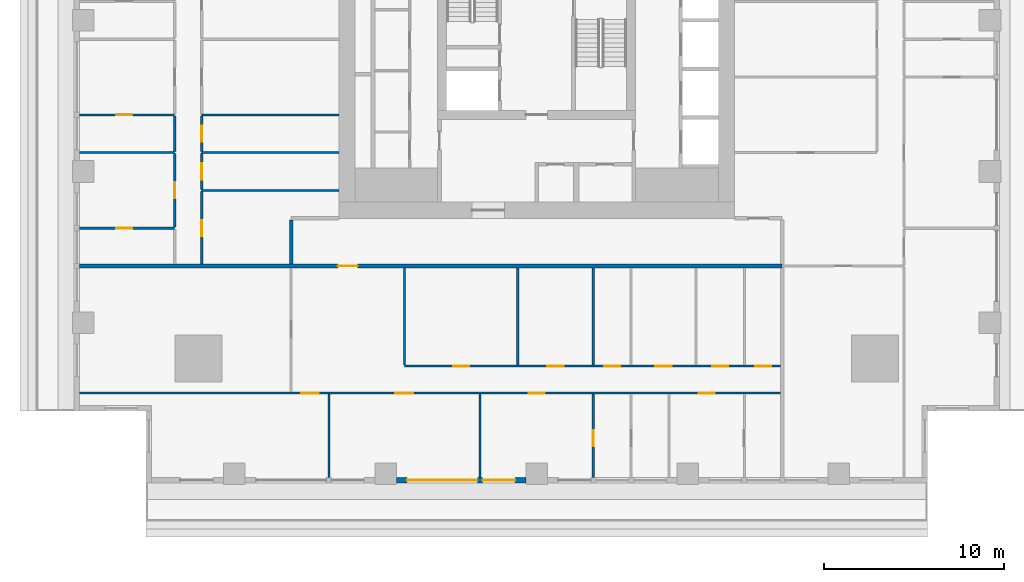
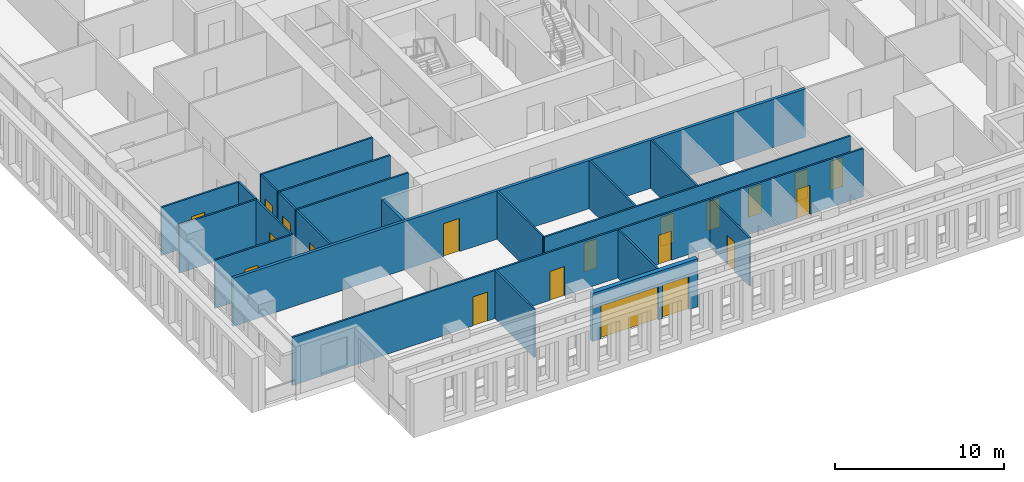
# One storey, part 2 of 15: 22 walls, 20 doors, 20 openings.
"""IFC4 building model written with IfcOpenShell, lengths in metres."""

from ifc_helpers import new_model, si_unit, direction, frame, frame_2d, origin, place, context, subcontext, project, spatial, rectangle, extrude, material, layer, layer_set, type_object, element, fill, save


model = new_model("IFC4")

# Units and contexts
model_context = context("Model", 3, precision=1e-05, world=origin(), true_north=direction((0.0, 1.0)))
body_context = subcontext(model_context, "Body", "Model", "MODEL_VIEW")
ifc_project = project(units=[si_unit("LENGTHUNIT", "METRE"), si_unit("AREAUNIT", "SQUARE_METRE"), si_unit("VOLUMEUNIT", "CUBIC_METRE"), si_unit("PLANEANGLEUNIT", "RADIAN"), si_unit("MASSUNIT", "GRAM", prefix="KILO")], contexts=[model_context])

# Site, building, storey
site_placement = place(None, origin())
site = spatial("IfcSite", under=ifc_project, at=site_placement, CompositionType="ELEMENT")
building_placement = place(site_placement, origin())
building = spatial("IfcBuilding", under=site, at=building_placement, Name="Khepri Terraces", CompositionType="ELEMENT")
storey_placement = place(building_placement, frame((0.0, 0.0, 145.5)))
storey = spatial("IfcBuildingStorey", under=building, at=storey_placement, Name="L34", CompositionType="ELEMENT", Elevation=145.5)

# Wall, opening, door
ifc_material_1 = material(Name="Fire-rated gypsum plasterboard partition, mineral wool")
ifc_layer_1 = layer(ifc_material_1, 0.199951171875, Name="Fire-rated gypsum plasterboard partition, mineral wool")
ifc_layer_set_1 = layer_set([ifc_layer_1], Name="Fire-rated gypsum plasterboard partition, mineral wool")
wall_type_1 = type_object("IfcWallType", Name="WL-CORR-200", PredefinedType="PARTITIONING", material=ifc_layer_set_1)
wall_1_placement = place(storey_placement, frame((-25.419921875, -13.64990234375, 0.0), z_axis=(0.0, 0.0, 1.0), x_axis=(1.0, 0.0, 0.0)))
wall_1 = element("IfcWall", 1, at=wall_1_placement, inside=storey, type_object=wall_type_1, Name="Partition P-018 L34", PredefinedType="PARTITIONING", context=body_context, shape_type="SweptSolid", body=[
    extrude(rectangle(XDim=39.06982421875, YDim=0.199951171875, at=frame_2d((19.534912109375, 0.0))), origin(), (0.0, 0.0, 1.0), 3.47998046875),
])
opening_1_placement = place(wall_1_placement, frame((14.3701171875, 0.0, 0.0)))
opening_1 = element("IfcOpeningElement", 2, at=opening_1_placement, cuts=wall_1, Name="Opening D1", PredefinedType="OPENING", context=body_context, shape_type="SweptSolid", body=[
    extrude(rectangle(XDim=1.10009765625, YDim=2.39990234375, at=frame_2d((0.550048828125, 1.199951171875))), frame((0.0, 0.10986328125, 0.0), z_axis=(0.0, -1.0, 0.0), x_axis=(1.0, 0.0, 0.0)), (0.0, 0.0, 1.0), 0.219970703125),
])
ifc_material_2 = material(Name="Solid-core timber door leaf, flat entrance door", Category="wood")
door_type_1 = type_object("IfcDoorType", Name="DR-ENT-1100", OperationType="NOTDEFINED", PredefinedType="DOOR", material=ifc_material_2)
door_1_placement = place(opening_1_placement, frame((1.10009765625, 0.0, 0.0), z_axis=(0.0, 0.0, 1.0), x_axis=(-1.0, 0.0, 0.0)))
door_1 = element("IfcDoor", 3, at=door_1_placement, inside=storey, type_object=door_type_1, Name="Flat A1 entrance door", OperationType="SINGLE_SWING_RIGHT", OverallHeight=2.39990234375, OverallWidth=1.10009765625, PredefinedType="DOOR", context=body_context, shape_type="SweptSolid", body=[
    extrude(rectangle(XDim=1.10009765625, YDim=2.39990234375, at=frame_2d((0.550048828125, 1.199951171875))), frame((0.0, 0.02490234375, 0.0), z_axis=(0.0, -1.0, 0.0), x_axis=(1.0, 0.0, 0.0)), (0.0, 0.0, 1.0), 0.050048828125),
])
fill(opening_1, door_1)

# Wall
wall_2_placement = place(storey_placement, frame((-13.64990234375, -13.550048828125, 0.0), z_axis=(0.0, 0.0, 1.0), x_axis=(0.0, 1.0, 0.0)))
element("IfcWall", 4, at=wall_2_placement, inside=storey, type_object=wall_type_1, Name="Partition P-023 L34", PredefinedType="PARTITIONING", context=body_context, shape_type="SweptSolid", body=[
    extrude(rectangle(XDim=2.449951171875, YDim=0.199951171875, at=frame_2d((1.22509765625, 0.0))), origin(), (0.0, 0.0, 1.0), 3.47998046875),
])

# Wall, openings, doors
ifc_material_3 = material(Name="Precast concrete C50/60 warm stone", Category="masonry")
ifc_layer_2 = layer(ifc_material_3, 0.300048828125, Name="Precast concrete C50/60 warm stone", Category="masonry")
ifc_layer_set_2 = layer_set([ifc_layer_2], Name="Precast concrete C50/60 warm stone")
wall_type_2 = type_object("IfcWallType", Name="WL-EXT-PRECAST-300", PredefinedType="STANDARD", material=ifc_layer_set_2)
wall_3_placement = place(storey_placement, frame((-7.800048828125, -25.570068359375, 0.0), z_axis=(0.0, 0.0, 1.0), x_axis=(1.0, 0.0, 0.0)))
wall_3 = element("IfcWall", 5, at=wall_3_placement, inside=storey, type_object=wall_type_2, Name="External wall L34 S", PredefinedType="STANDARD", context=body_context, shape_type="SweptSolid", body=[
    extrude(rectangle(XDim=7.199951171875, YDim=0.300048828125, at=frame_2d((3.60009765625, 0.0))), origin(), (0.0, 0.0, 1.0), 3.47998046875),
])
opening_2_placement = place(wall_3_placement, frame((0.60009765625, 0.0, 0.0)))
opening_2 = element("IfcOpeningElement", 6, at=opening_2_placement, cuts=wall_3, Name="Opening ED-L34-17", PredefinedType="OPENING", context=body_context, shape_type="SweptSolid", body=[
    extrude(rectangle(XDim=3.89990234375, YDim=2.39990234375, at=frame_2d((1.949951171875, 1.199951171875))), frame((0.0, 0.16015625, 0.0), z_axis=(0.0, -1.0, 0.0), x_axis=(1.0, 0.0, 0.0)), (0.0, 0.0, 1.0), 0.320068359375),
])
opening_3_placement = place(wall_3_placement, frame((4.800048828125, 0.0, 0.0)))
opening_3 = element("IfcOpeningElement", 7, at=opening_3_placement, cuts=wall_3, Name="Opening ED-L34-18", PredefinedType="OPENING", context=body_context, shape_type="SweptSolid", body=[
    extrude(rectangle(XDim=1.800048828125, YDim=2.39990234375, at=frame_2d((0.89990234375, 1.199951171875))), frame((0.0, 0.16015625, 0.0), z_axis=(0.0, -1.0, 0.0), x_axis=(1.0, 0.0, 0.0)), (0.0, 0.0, 1.0), 0.320068359375),
])
ifc_material_4 = material(Name="Anodised aluminium bronze glazed door", Category="aluminium")
door_type_2 = type_object("IfcDoorType", Name="DR-BAL-SLIDE-1800x2400", OperationType="NOTDEFINED", PredefinedType="DOOR", material=ifc_material_4)
door_2_placement = place(opening_3_placement, origin())
door_2 = element("IfcDoor", 8, at=door_2_placement, inside=storey, type_object=door_type_2, Name="Balcony door L34 S", OperationType="SLIDING_TO_RIGHT", OverallHeight=2.39990234375, OverallWidth=1.800048828125, PredefinedType="DOOR", context=body_context, shape_type="SweptSolid", body=[
    extrude(rectangle(XDim=1.800048828125, YDim=2.39990234375, at=frame_2d((0.89990234375, 1.199951171875))), frame((0.0, 0.02490234375, 0.0), z_axis=(0.0, -1.0, 0.0), x_axis=(1.0, 0.0, 0.0)), (0.0, 0.0, 1.0), 0.050048828125),
])
fill(opening_3, door_2)
door_type_3 = type_object("IfcDoorType", Name="DR-BAL-SLIDE-3900x2400", OperationType="NOTDEFINED", PredefinedType="DOOR", material=ifc_material_4)
door_3_placement = place(opening_2_placement, origin())
door_3 = element("IfcDoor", 9, at=door_3_placement, inside=storey, type_object=door_type_3, Name="Balcony door L34 S", OperationType="SLIDING_TO_LEFT", OverallHeight=2.39990234375, OverallWidth=3.89990234375, PredefinedType="DOOR", context=body_context, shape_type="SweptSolid", body=[
    extrude(rectangle(XDim=3.89990234375, YDim=2.39990234375, at=frame_2d((1.949951171875, 1.199951171875))), frame((0.0, 0.02490234375, 0.0), z_axis=(0.0, -1.0, 0.0), x_axis=(1.0, 0.0, 0.0)), (0.0, 0.0, 1.0), 0.050048828125),
])
fill(opening_2, door_3)

# Walls
ifc_material_5 = material(Name="Gypsum plasterboard partition")
ifc_layer_3 = layer(ifc_material_5, 0.1201171875, Name="Gypsum plasterboard partition")
ifc_layer_set_3 = layer_set([ifc_layer_3], Name="Gypsum plasterboard partition")
wall_type_3 = type_object("IfcWallType", Name="WL-PART-120", PredefinedType="PARTITIONING", material=ifc_layer_set_3)
for number, where, z_axis, x_axis, name in (
    (10, (-11.550048828125, -25.419921875, 0.0), (0.0, 0.0, 1.0), (0.0, 1.0, 0.0), "Partition P-001 L34"),
    (11, (-3.14990234375, -25.419921875, 0.0), (0.0, 0.0, 1.0), (0.0, 1.0, 0.0), "Partition P-002 L34"),
):
    element("IfcWall", number, at=place(storey_placement, frame(where, z_axis=z_axis, x_axis=x_axis)), inside=storey, type_object=wall_type_3, Name=name, PredefinedType="PARTITIONING", context=body_context, shape_type="SweptSolid", body=[
        extrude(rectangle(XDim=4.639892578125, YDim=0.1201171875, at=frame_2d((2.31982421875, 0.0))), origin(), (0.0, 0.0, 1.0), 3.47998046875),
    ])

# Wall, opening, door
wall_4_placement = place(storey_placement, frame((3.14990234375, -25.419921875, 0.0), z_axis=(0.0, 0.0, 1.0), x_axis=(0.0, 1.0, 0.0)))
wall_4 = element("IfcWall", 12, at=wall_4_placement, inside=storey, type_object=wall_type_3, Name="Partition P-003 L34", PredefinedType="PARTITIONING", context=body_context, shape_type="SweptSolid", body=[
    extrude(rectangle(XDim=4.639892578125, YDim=0.1201171875, at=frame_2d((2.31982421875, 0.0))), origin(), (0.0, 0.0, 1.0), 3.47998046875),
])
opening_4_placement = place(wall_4_placement, frame((1.75, 0.0, 0.0)))
opening_4 = element("IfcOpeningElement", 13, at=opening_4_placement, cuts=wall_4, Name="Opening D3", PredefinedType="OPENING", context=body_context, shape_type="SweptSolid", body=[
    extrude(rectangle(XDim=0.89990234375, YDim=2.10009765625, at=frame_2d((0.449951171875, 1.050048828125))), frame((0.0, 0.070068359375, 0.0), z_axis=(0.0, -1.0, 0.0), x_axis=(1.0, 0.0, 0.0)), (0.0, 0.0, 1.0), 0.14013671875),
])
ifc_material_6 = material(Name="Timber door leaf", Category="wood")
door_type_4 = type_object("IfcDoorType", Name="DR-INT-900", OperationType="NOTDEFINED", PredefinedType="DOOR", material=ifc_material_6)
door_4_placement = place(opening_4_placement, frame((0.89990234375, 0.0, 0.0), z_axis=(0.0, 0.0, 1.0), x_axis=(-1.0, 0.0, 0.0)))
door_4 = element("IfcDoor", 14, at=door_4_placement, inside=storey, type_object=door_type_4, Name="Door Dressing Room", OperationType="SINGLE_SWING_RIGHT", OverallHeight=2.10009765625, OverallWidth=0.89990234375, PredefinedType="DOOR", context=body_context, shape_type="SweptSolid", body=[
    extrude(rectangle(XDim=0.89990234375, YDim=2.10009765625, at=frame_2d((0.449951171875, 1.050048828125))), frame((0.0, 0.02490234375, 0.0), z_axis=(0.0, -1.0, 0.0), x_axis=(1.0, 0.0, 0.0)), (0.0, 0.0, 1.0), 0.050048828125),
])
fill(opening_4, door_4)

# Wall, openings, doors
wall_5_placement = place(storey_placement, frame((-25.419921875, -20.719970703125, 0.0), z_axis=(0.0, 0.0, 1.0), x_axis=(1.0, 0.0, 0.0)))
wall_5 = element("IfcWall", 15, at=wall_5_placement, inside=storey, type_object=wall_type_3, Name="Partition P-009 L34", PredefinedType="PARTITIONING", context=body_context, shape_type="SweptSolid", body=[
    extrude(rectangle(XDim=38.969970703125, YDim=0.1201171875, at=frame_2d((19.48486328125, 0.0))), origin(), (0.0, 0.0, 1.0), 3.47998046875),
])
opening_5_placement = place(wall_5_placement, frame((12.320068359375, 0.0, 0.0)))
opening_5 = element("IfcOpeningElement", 16, at=opening_5_placement, cuts=wall_5, Name="Opening D2", PredefinedType="OPENING", context=body_context, shape_type="SweptSolid", body=[
    extrude(rectangle(XDim=1.0, YDim=2.10009765625, at=frame_2d((0.5, 1.050048828125))), frame((0.0, 0.070068359375, 0.0), z_axis=(0.0, -1.0, 0.0), x_axis=(1.0, 0.0, 0.0)), (0.0, 0.0, 1.0), 0.14013671875),
])
opening_6_placement = place(wall_5_placement, frame((17.570068359375, 0.0, 0.0)))
opening_6 = element("IfcOpeningElement", 17, at=opening_6_placement, cuts=wall_5, Name="Opening D2", PredefinedType="OPENING", context=body_context, shape_type="SweptSolid", body=[
    extrude(rectangle(XDim=1.0, YDim=2.10009765625, at=frame_2d((0.5, 1.050048828125))), frame((0.0, 0.070068359375, 0.0), z_axis=(0.0, -1.0, 0.0), x_axis=(1.0, 0.0, 0.0)), (0.0, 0.0, 1.0), 0.14013671875),
])
opening_7_placement = place(wall_5_placement, frame((24.969970703125, 0.0, 0.0)))
opening_7 = element("IfcOpeningElement", 18, at=opening_7_placement, cuts=wall_5, Name="Opening D3", PredefinedType="OPENING", context=body_context, shape_type="SweptSolid", body=[
    extrude(rectangle(XDim=0.89990234375, YDim=2.10009765625, at=frame_2d((0.449951171875, 1.050048828125))), frame((0.0, 0.070068359375, 0.0), z_axis=(0.0, -1.0, 0.0), x_axis=(1.0, 0.0, 0.0)), (0.0, 0.0, 1.0), 0.14013671875),
])
opening_8_placement = place(wall_5_placement, frame((34.419921875, 0.0, 0.0)))
opening_8 = element("IfcOpeningElement", 19, at=opening_8_placement, cuts=wall_5, Name="Opening D3", PredefinedType="OPENING", context=body_context, shape_type="SweptSolid", body=[
    extrude(rectangle(XDim=0.89990234375, YDim=2.10009765625, at=frame_2d((0.449951171875, 1.050048828125))), frame((0.0, 0.070068359375, 0.0), z_axis=(0.0, -1.0, 0.0), x_axis=(1.0, 0.0, 0.0)), (0.0, 0.0, 1.0), 0.14013671875),
])
ifc_material_7 = material(Name="Timber door leaf, living room door", Category="wood")
door_type_5 = type_object("IfcDoorType", Name="DR-INT-1000", OperationType="NOTDEFINED", PredefinedType="DOOR", material=ifc_material_7)
door_5_placement = place(opening_5_placement, frame((1.0, 0.0, 0.0), z_axis=(0.0, 0.0, 1.0), x_axis=(-1.0, 0.0, 0.0)))
door_5 = element("IfcDoor", 20, at=door_5_placement, inside=storey, type_object=door_type_5, Name="Door Sun Lounge", OperationType="SINGLE_SWING_RIGHT", OverallHeight=2.10009765625, OverallWidth=1.0, PredefinedType="DOOR", context=body_context, shape_type="SweptSolid", body=[
    extrude(rectangle(XDim=1.0, YDim=2.10009765625, at=frame_2d((0.5, 1.050048828125))), frame((0.0, 0.02490234375, 0.0), z_axis=(0.0, -1.0, 0.0), x_axis=(1.0, 0.0, 0.0)), (0.0, 0.0, 1.0), 0.050048828125),
])
fill(opening_5, door_5)
door_6_placement = place(opening_6_placement, frame((1.0, 0.0, 0.0), z_axis=(0.0, 0.0, 1.0), x_axis=(-1.0, 0.0, 0.0)))
door_6 = element("IfcDoor", 21, at=door_6_placement, inside=storey, type_object=door_type_5, Name="Door Living Room", OperationType="SINGLE_SWING_RIGHT", OverallHeight=2.10009765625, OverallWidth=1.0, PredefinedType="DOOR", context=body_context, shape_type="SweptSolid", body=[
    extrude(rectangle(XDim=1.0, YDim=2.10009765625, at=frame_2d((0.5, 1.050048828125))), frame((0.0, 0.02490234375, 0.0), z_axis=(0.0, -1.0, 0.0), x_axis=(1.0, 0.0, 0.0)), (0.0, 0.0, 1.0), 0.050048828125),
])
fill(opening_6, door_6)
door_7_placement = place(opening_7_placement, frame((0.89990234375, 0.0, 0.0), z_axis=(0.0, 0.0, 1.0), x_axis=(-1.0, 0.0, 0.0)))
door_7 = element("IfcDoor", 22, at=door_7_placement, inside=storey, type_object=door_type_4, Name="Door Master Bedroom", OperationType="SINGLE_SWING_LEFT", OverallHeight=2.10009765625, OverallWidth=0.89990234375, PredefinedType="DOOR", context=body_context, shape_type="SweptSolid", body=[
    extrude(rectangle(XDim=0.89990234375, YDim=2.10009765625, at=frame_2d((0.449951171875, 1.050048828125))), frame((0.0, 0.02490234375, 0.0), z_axis=(0.0, -1.0, 0.0), x_axis=(1.0, 0.0, 0.0)), (0.0, 0.0, 1.0), 0.050048828125),
])
fill(opening_7, door_7)
door_8_placement = place(opening_8_placement, frame((0.89990234375, 0.0, 0.0), z_axis=(0.0, 0.0, 1.0), x_axis=(-1.0, 0.0, 0.0)))
door_8 = element("IfcDoor", 23, at=door_8_placement, inside=storey, type_object=door_type_4, Name="Door Bedroom", OperationType="SINGLE_SWING_LEFT", OverallHeight=2.10009765625, OverallWidth=0.89990234375, PredefinedType="DOOR", context=body_context, shape_type="SweptSolid", body=[
    extrude(rectangle(XDim=0.89990234375, YDim=2.10009765625, at=frame_2d((0.449951171875, 1.050048828125))), frame((0.0, 0.02490234375, 0.0), z_axis=(0.0, -1.0, 0.0), x_axis=(1.0, 0.0, 0.0)), (0.0, 0.0, 1.0), 0.050048828125),
])
fill(opening_8, door_8)

wall_6_placement = place(storey_placement, frame((-7.35009765625, -19.219970703125, 0.0), z_axis=(0.0, 0.0, 1.0), x_axis=(1.0, 0.0, 0.0)))
wall_6 = element("IfcWall", 24, at=wall_6_placement, inside=storey, type_object=wall_type_3, Name="Partition P-011 L34", PredefinedType="PARTITIONING", context=body_context, shape_type="SweptSolid", body=[
    extrude(rectangle(XDim=20.900146484375, YDim=0.1201171875, at=frame_2d((10.4501953125, 0.0))), origin(), (0.0, 0.0, 1.0), 3.47998046875),
])
opening_9_placement = place(wall_6_placement, frame((2.699951171875, 0.0, 0.0)))
opening_9 = element("IfcOpeningElement", 25, at=opening_9_placement, cuts=wall_6, Name="Opening D3", PredefinedType="OPENING", context=body_context, shape_type="SweptSolid", body=[
    extrude(rectangle(XDim=0.89990234375, YDim=2.10009765625, at=frame_2d((0.449951171875, 1.050048828125))), frame((0.0, 0.070068359375, 0.0), z_axis=(0.0, -1.0, 0.0), x_axis=(1.0, 0.0, 0.0)), (0.0, 0.0, 1.0), 0.14013671875),
])
opening_10_placement = place(wall_6_placement, frame((7.949951171875, 0.0, 0.0)))
opening_10 = element("IfcOpeningElement", 26, at=opening_10_placement, cuts=wall_6, Name="Opening D3", PredefinedType="OPENING", context=body_context, shape_type="SweptSolid", body=[
    extrude(rectangle(XDim=0.89990234375, YDim=2.10009765625, at=frame_2d((0.449951171875, 1.050048828125))), frame((0.0, 0.070068359375, 0.0), z_axis=(0.0, -1.0, 0.0), x_axis=(1.0, 0.0, 0.0)), (0.0, 0.0, 1.0), 0.14013671875),
])
opening_11_placement = place(wall_6_placement, frame((11.10009765625, 0.0, 0.0)))
opening_11 = element("IfcOpeningElement", 27, at=opening_11_placement, cuts=wall_6, Name="Opening D4", PredefinedType="OPENING", context=body_context, shape_type="SweptSolid", body=[
    extrude(rectangle(XDim=0.89990234375, YDim=2.10009765625, at=frame_2d((0.449951171875, 1.050048828125))), frame((0.0, 0.070068359375, 0.0), z_axis=(0.0, -1.0, 0.0), x_axis=(1.0, 0.0, 0.0)), (0.0, 0.0, 1.0), 0.14013671875),
])
opening_12_placement = place(wall_6_placement, frame((13.949951171875, 0.0, 0.0)))
opening_12 = element("IfcOpeningElement", 28, at=opening_12_placement, cuts=wall_6, Name="Opening D3", PredefinedType="OPENING", context=body_context, shape_type="SweptSolid", body=[
    extrude(rectangle(XDim=0.89990234375, YDim=2.10009765625, at=frame_2d((0.449951171875, 1.050048828125))), frame((0.0, 0.070068359375, 0.0), z_axis=(0.0, -1.0, 0.0), x_axis=(1.0, 0.0, 0.0)), (0.0, 0.0, 1.0), 0.14013671875),
])
opening_13_placement = place(wall_6_placement, frame((17.10009765625, 0.0, 0.0)))
opening_13 = element("IfcOpeningElement", 29, at=opening_13_placement, cuts=wall_6, Name="Opening D4", PredefinedType="OPENING", context=body_context, shape_type="SweptSolid", body=[
    extrude(rectangle(XDim=0.89990234375, YDim=2.10009765625, at=frame_2d((0.449951171875, 1.050048828125))), frame((0.0, 0.070068359375, 0.0), z_axis=(0.0, -1.0, 0.0), x_axis=(1.0, 0.0, 0.0)), (0.0, 0.0, 1.0), 0.14013671875),
])
opening_14_placement = place(wall_6_placement, frame((19.5, 0.0, 0.0)))
opening_14 = element("IfcOpeningElement", 30, at=opening_14_placement, cuts=wall_6, Name="Opening D3", PredefinedType="OPENING", context=body_context, shape_type="SweptSolid", body=[
    extrude(rectangle(XDim=0.89990234375, YDim=2.10009765625, at=frame_2d((0.449951171875, 1.050048828125))), frame((0.0, 0.070068359375, 0.0), z_axis=(0.0, -1.0, 0.0), x_axis=(1.0, 0.0, 0.0)), (0.0, 0.0, 1.0), 0.14013671875),
])
door_9_placement = place(opening_9_placement, origin())
door_9 = element("IfcDoor", 31, at=door_9_placement, inside=storey, type_object=door_type_4, Name="Door Kitchen", OperationType="SINGLE_SWING_LEFT", OverallHeight=2.10009765625, OverallWidth=0.89990234375, PredefinedType="DOOR", context=body_context, shape_type="SweptSolid", body=[
    extrude(rectangle(XDim=0.89990234375, YDim=2.10009765625, at=frame_2d((0.449951171875, 1.050048828125))), frame((0.0, 0.02490234375, 0.0), z_axis=(0.0, -1.0, 0.0), x_axis=(1.0, 0.0, 0.0)), (0.0, 0.0, 1.0), 0.050048828125),
])
fill(opening_9, door_9)
door_10_placement = place(opening_10_placement, origin())
door_10 = element("IfcDoor", 32, at=door_10_placement, inside=storey, type_object=door_type_4, Name="Door Utility Room", OperationType="SINGLE_SWING_LEFT", OverallHeight=2.10009765625, OverallWidth=0.89990234375, PredefinedType="DOOR", context=body_context, shape_type="SweptSolid", body=[
    extrude(rectangle(XDim=0.89990234375, YDim=2.10009765625, at=frame_2d((0.449951171875, 1.050048828125))), frame((0.0, 0.02490234375, 0.0), z_axis=(0.0, -1.0, 0.0), x_axis=(1.0, 0.0, 0.0)), (0.0, 0.0, 1.0), 0.050048828125),
])
fill(opening_10, door_10)
door_11_placement = place(opening_12_placement, origin())
door_11 = element("IfcDoor", 33, at=door_11_placement, inside=storey, type_object=door_type_4, Name="Door Staff Bedroom", OperationType="SINGLE_SWING_RIGHT", OverallHeight=2.10009765625, OverallWidth=0.89990234375, PredefinedType="DOOR", context=body_context, shape_type="SweptSolid", body=[
    extrude(rectangle(XDim=0.89990234375, YDim=2.10009765625, at=frame_2d((0.449951171875, 1.050048828125))), frame((0.0, 0.02490234375, 0.0), z_axis=(0.0, -1.0, 0.0), x_axis=(1.0, 0.0, 0.0)), (0.0, 0.0, 1.0), 0.050048828125),
])
fill(opening_12, door_11)
door_12_placement = place(opening_14_placement, origin())
door_12 = element("IfcDoor", 34, at=door_12_placement, inside=storey, type_object=door_type_4, Name="Door Utility Room", OperationType="SINGLE_SWING_RIGHT", OverallHeight=2.10009765625, OverallWidth=0.89990234375, PredefinedType="DOOR", context=body_context, shape_type="SweptSolid", body=[
    extrude(rectangle(XDim=0.89990234375, YDim=2.10009765625, at=frame_2d((0.449951171875, 1.050048828125))), frame((0.0, 0.02490234375, 0.0), z_axis=(0.0, -1.0, 0.0), x_axis=(1.0, 0.0, 0.0)), (0.0, 0.0, 1.0), 0.050048828125),
])
fill(opening_14, door_12)
ifc_material_8 = material(Name="Timber door leaf, moisture resistant", Category="wood")
door_type_6 = type_object("IfcDoorType", Name="DR-WET-900", OperationType="NOTDEFINED", PredefinedType="DOOR", material=ifc_material_8)
door_13_placement = place(opening_11_placement, origin())
door_13 = element("IfcDoor", 35, at=door_13_placement, inside=storey, type_object=door_type_6, Name="Door Powder Room", OperationType="SINGLE_SWING_RIGHT", OverallHeight=2.10009765625, OverallWidth=0.89990234375, PredefinedType="DOOR", context=body_context, shape_type="SweptSolid", body=[
    extrude(rectangle(XDim=0.89990234375, YDim=2.10009765625, at=frame_2d((0.449951171875, 1.050048828125))), frame((0.0, 0.02490234375, 0.0), z_axis=(0.0, -1.0, 0.0), x_axis=(1.0, 0.0, 0.0)), (0.0, 0.0, 1.0), 0.050048828125),
])
fill(opening_11, door_13)
door_14_placement = place(opening_13_placement, origin())
door_14 = element("IfcDoor", 36, at=door_14_placement, inside=storey, type_object=door_type_6, Name="Door Guest Bathroom", OperationType="SINGLE_SWING_RIGHT", OverallHeight=2.10009765625, OverallWidth=0.89990234375, PredefinedType="DOOR", context=body_context, shape_type="SweptSolid", body=[
    extrude(rectangle(XDim=0.89990234375, YDim=2.10009765625, at=frame_2d((0.449951171875, 1.050048828125))), frame((0.0, 0.02490234375, 0.0), z_axis=(0.0, -1.0, 0.0), x_axis=(1.0, 0.0, 0.0)), (0.0, 0.0, 1.0), 0.050048828125),
])
fill(opening_13, door_14)

# Walls
for number, where, z_axis, x_axis, name in (
    (37, (-7.35009765625, -19.159912109375, 0.0), (0.0, 0.0, 1.0), (0.0, 1.0, 0.0), "Partition P-012 L34"),
    (38, (-1.050048828125, -19.159912109375, 0.0), (0.0, 0.0, 1.0), (0.0, 1.0, 0.0), "Partition P-013 L34"),
    (39, (3.14990234375, -19.159912109375, 0.0), (0.0, 0.0, 1.0), (0.0, 1.0, 0.0), "Partition P-014 L34"),
):
    element("IfcWall", number, at=place(storey_placement, frame(where, z_axis=z_axis, x_axis=x_axis)), inside=storey, type_object=wall_type_3, Name=name, PredefinedType="PARTITIONING", context=body_context, shape_type="SweptSolid", body=[
        extrude(rectangle(XDim=5.409912109375, YDim=0.1201171875, at=frame_2d((2.705078125, 0.0))), origin(), (0.0, 0.0, 1.0), 3.47998046875),
    ])

# Wall, opening, door
wall_7_placement = place(storey_placement, frame((-18.6201171875, -13.550048828125, 0.0), z_axis=(0.0, 0.0, 1.0), x_axis=(0.0, 1.0, 0.0)))
wall_7 = element("IfcWall", 40, at=wall_7_placement, inside=storey, type_object=wall_type_3, Name="Partition P-022 L34", PredefinedType="PARTITIONING", context=body_context, shape_type="SweptSolid", body=[
    extrude(rectangle(XDim=4.0400390625, YDim=0.1201171875, at=frame_2d((2.02001953125, 0.0))), origin(), (0.0, 0.0, 1.0), 3.47998046875),
])
opening_15_placement = place(wall_7_placement, frame((1.550048828125, 0.0, 0.0)))
opening_15 = element("IfcOpeningElement", 41, at=opening_15_placement, cuts=wall_7, Name="Opening D3", PredefinedType="OPENING", context=body_context, shape_type="SweptSolid", body=[
    extrude(rectangle(XDim=0.89990234375, YDim=2.10009765625, at=frame_2d((0.449951171875, 1.050048828125))), frame((0.0, 0.070068359375, 0.0), z_axis=(0.0, -1.0, 0.0), x_axis=(1.0, 0.0, 0.0)), (0.0, 0.0, 1.0), 0.14013671875),
])
door_15_placement = place(opening_15_placement, frame((0.89990234375, 0.0, 0.0), z_axis=(0.0, 0.0, 1.0), x_axis=(-1.0, 0.0, 0.0)))
door_15 = element("IfcDoor", 42, at=door_15_placement, inside=storey, type_object=door_type_4, Name="Door Library", OperationType="SINGLE_SWING_RIGHT", OverallHeight=2.10009765625, OverallWidth=0.89990234375, PredefinedType="DOOR", context=body_context, shape_type="SweptSolid", body=[
    extrude(rectangle(XDim=0.89990234375, YDim=2.10009765625, at=frame_2d((0.449951171875, 1.050048828125))), frame((0.0, 0.02490234375, 0.0), z_axis=(0.0, -1.0, 0.0), x_axis=(1.0, 0.0, 0.0)), (0.0, 0.0, 1.0), 0.050048828125),
])
fill(opening_15, door_15)

wall_8_placement = place(storey_placement, frame((-25.419921875, -11.550048828125, 0.0), z_axis=(0.0, 0.0, 1.0), x_axis=(1.0, 0.0, 0.0)))
wall_8 = element("IfcWall", 43, at=wall_8_placement, inside=storey, type_object=wall_type_3, Name="Partition P-025 L34", PredefinedType="PARTITIONING", context=body_context, shape_type="SweptSolid", body=[
    extrude(rectangle(XDim=5.2998046875, YDim=0.1201171875, at=frame_2d((2.64990234375, 0.0))), origin(), (0.0, 0.0, 1.0), 3.47998046875),
])
opening_16_placement = place(wall_8_placement, frame((2.050048828125, 0.0, 0.0)))
opening_16 = element("IfcOpeningElement", 44, at=opening_16_placement, cuts=wall_8, Name="Opening D4", PredefinedType="OPENING", context=body_context, shape_type="SweptSolid", body=[
    extrude(rectangle(XDim=0.89990234375, YDim=2.10009765625, at=frame_2d((0.449951171875, 1.050048828125))), frame((0.0, 0.070068359375, 0.0), z_axis=(0.0, -1.0, 0.0), x_axis=(1.0, 0.0, 0.0)), (0.0, 0.0, 1.0), 0.14013671875),
])
door_16_placement = place(opening_16_placement, frame((0.89990234375, 0.0, 0.0), z_axis=(0.0, 0.0, 1.0), x_axis=(-1.0, 0.0, 0.0)))
door_16 = element("IfcDoor", 45, at=door_16_placement, inside=storey, type_object=door_type_6, Name="Door Bathroom", OperationType="SINGLE_SWING_RIGHT", OverallHeight=2.10009765625, OverallWidth=0.89990234375, PredefinedType="DOOR", context=body_context, shape_type="SweptSolid", body=[
    extrude(rectangle(XDim=0.89990234375, YDim=2.10009765625, at=frame_2d((0.449951171875, 1.050048828125))), frame((0.0, 0.02490234375, 0.0), z_axis=(0.0, -1.0, 0.0), x_axis=(1.0, 0.0, 0.0)), (0.0, 0.0, 1.0), 0.050048828125),
])
fill(opening_16, door_16)

wall_9_placement = place(storey_placement, frame((-20.1201171875, -11.489990234375, 0.0), z_axis=(0.0, 0.0, 1.0), x_axis=(0.0, 1.0, 0.0)))
wall_9 = element("IfcWall", 46, at=wall_9_placement, inside=storey, type_object=wall_type_3, Name="Partition P-027 L34", PredefinedType="PARTITIONING", context=body_context, shape_type="SweptSolid", body=[
    extrude(rectangle(XDim=4.080078125, YDim=0.1201171875, at=frame_2d((2.0400390625, 0.0))), origin(), (0.0, 0.0, 1.0), 3.47998046875),
])
opening_17_placement = place(wall_9_placement, frame((1.590087890625, 0.0, 0.0)))
opening_17 = element("IfcOpeningElement", 47, at=opening_17_placement, cuts=wall_9, Name="Opening D3", PredefinedType="OPENING", context=body_context, shape_type="SweptSolid", body=[
    extrude(rectangle(XDim=0.89990234375, YDim=2.10009765625, at=frame_2d((0.449951171875, 1.050048828125))), frame((0.0, 0.070068359375, 0.0), z_axis=(0.0, -1.0, 0.0), x_axis=(1.0, 0.0, 0.0)), (0.0, 0.0, 1.0), 0.14013671875),
])
door_17_placement = place(opening_17_placement, origin())
door_17 = element("IfcDoor", 48, at=door_17_placement, inside=storey, type_object=door_type_4, Name="Door Bedroom", OperationType="SINGLE_SWING_RIGHT", OverallHeight=2.10009765625, OverallWidth=0.89990234375, PredefinedType="DOOR", context=body_context, shape_type="SweptSolid", body=[
    extrude(rectangle(XDim=0.89990234375, YDim=2.10009765625, at=frame_2d((0.449951171875, 1.050048828125))), frame((0.0, 0.02490234375, 0.0), z_axis=(0.0, -1.0, 0.0), x_axis=(1.0, 0.0, 0.0)), (0.0, 0.0, 1.0), 0.050048828125),
])
fill(opening_17, door_17)

# Wall
wall_10_placement = place(storey_placement, frame((-18.6201171875, -9.449951171875, 0.0), z_axis=(0.0, 0.0, 1.0), x_axis=(1.0, 0.0, 0.0)))
element("IfcWall", 49, at=wall_10_placement, inside=storey, type_object=wall_type_3, Name="Partition P-031 L34", PredefinedType="PARTITIONING", context=body_context, shape_type="SweptSolid", body=[
    extrude(rectangle(XDim=7.6201171875, YDim=0.1201171875, at=frame_2d((3.81005859375, 0.0))), origin(), (0.0, 0.0, 1.0), 3.47998046875),
])

# Wall, opening, door
wall_11_placement = place(storey_placement, frame((-18.6201171875, -9.389892578125, 0.0), z_axis=(0.0, 0.0, 1.0), x_axis=(0.0, 1.0, 0.0)))
wall_11 = element("IfcWall", 50, at=wall_11_placement, inside=storey, type_object=wall_type_3, Name="Partition P-032 L34", PredefinedType="PARTITIONING", context=body_context, shape_type="SweptSolid", body=[
    extrude(rectangle(XDim=1.97998046875, YDim=0.1201171875, at=frame_2d((0.989990234375, 0.0))), origin(), (0.0, 0.0, 1.0), 3.47998046875),
])
opening_18_placement = place(wall_11_placement, frame((0.5400390625, 0.0, 0.0)))
opening_18 = element("IfcOpeningElement", 51, at=opening_18_placement, cuts=wall_11, Name="Opening D4", PredefinedType="OPENING", context=body_context, shape_type="SweptSolid", body=[
    extrude(rectangle(XDim=0.89990234375, YDim=2.10009765625, at=frame_2d((0.449951171875, 1.050048828125))), frame((0.0, 0.070068359375, 0.0), z_axis=(0.0, -1.0, 0.0), x_axis=(1.0, 0.0, 0.0)), (0.0, 0.0, 1.0), 0.14013671875),
])
door_18_placement = place(opening_18_placement, frame((0.89990234375, 0.0, 0.0), z_axis=(0.0, 0.0, 1.0), x_axis=(-1.0, 0.0, 0.0)))
door_18 = element("IfcDoor", 52, at=door_18_placement, inside=storey, type_object=door_type_6, Name="Door Guest Bathroom", OperationType="SINGLE_SWING_LEFT", OverallHeight=2.10009765625, OverallWidth=0.89990234375, PredefinedType="DOOR", context=body_context, shape_type="SweptSolid", body=[
    extrude(rectangle(XDim=0.89990234375, YDim=2.10009765625, at=frame_2d((0.449951171875, 1.050048828125))), frame((0.0, 0.02490234375, 0.0), z_axis=(0.0, -1.0, 0.0), x_axis=(1.0, 0.0, 0.0)), (0.0, 0.0, 1.0), 0.050048828125),
])
fill(opening_18, door_18)

# Walls
wall_12_placement = place(storey_placement, frame((-25.419921875, -7.35009765625, 0.0), z_axis=(0.0, 0.0, 1.0), x_axis=(1.0, 0.0, 0.0)))
element("IfcWall", 53, at=wall_12_placement, inside=storey, type_object=wall_type_3, Name="Partition P-033 L34", PredefinedType="PARTITIONING", context=body_context, shape_type="SweptSolid", body=[
    extrude(rectangle(XDim=5.2998046875, YDim=0.1201171875, at=frame_2d((2.64990234375, 0.0))), origin(), (0.0, 0.0, 1.0), 3.47998046875),
])
wall_13_placement = place(storey_placement, frame((-18.6201171875, -7.35009765625, 0.0), z_axis=(0.0, 0.0, 1.0), x_axis=(1.0, 0.0, 0.0)))
element("IfcWall", 54, at=wall_13_placement, inside=storey, type_object=wall_type_3, Name="Partition P-034 L34", PredefinedType="PARTITIONING", context=body_context, shape_type="SweptSolid", body=[
    extrude(rectangle(XDim=7.6201171875, YDim=0.1201171875, at=frame_2d((3.81005859375, 0.0))), origin(), (0.0, 0.0, 1.0), 3.47998046875),
])
wall_14_placement = place(storey_placement, frame((-20.1201171875, -7.2900390625, 0.0), z_axis=(0.0, 0.0, 1.0), x_axis=(0.0, 1.0, 0.0)))
element("IfcWall", 55, at=wall_14_placement, inside=storey, type_object=wall_type_3, Name="Partition P-036 L34", PredefinedType="PARTITIONING", context=body_context, shape_type="SweptSolid", body=[
    extrude(rectangle(XDim=1.97998046875, YDim=0.1201171875, at=frame_2d((0.989990234375, 0.0))), origin(), (0.0, 0.0, 1.0), 3.47998046875),
])

# Wall, opening, door
wall_15_placement = place(storey_placement, frame((-18.6201171875, -7.2900390625, 0.0), z_axis=(0.0, 0.0, 1.0), x_axis=(0.0, 1.0, 0.0)))
wall_15 = element("IfcWall", 56, at=wall_15_placement, inside=storey, type_object=wall_type_3, Name="Partition P-037 L34", PredefinedType="PARTITIONING", context=body_context, shape_type="SweptSolid", body=[
    extrude(rectangle(XDim=1.97998046875, YDim=0.1201171875, at=frame_2d((0.989990234375, 0.0))), origin(), (0.0, 0.0, 1.0), 3.47998046875),
])
opening_19_placement = place(wall_15_placement, frame((0.5400390625, 0.0, 0.0)))
opening_19 = element("IfcOpeningElement", 57, at=opening_19_placement, cuts=wall_15, Name="Opening D4", PredefinedType="OPENING", context=body_context, shape_type="SweptSolid", body=[
    extrude(rectangle(XDim=0.89990234375, YDim=2.10009765625, at=frame_2d((0.449951171875, 1.050048828125))), frame((0.0, 0.070068359375, 0.0), z_axis=(0.0, -1.0, 0.0), x_axis=(1.0, 0.0, 0.0)), (0.0, 0.0, 1.0), 0.14013671875),
])
door_19_placement = place(opening_19_placement, frame((0.89990234375, 0.0, 0.0), z_axis=(0.0, 0.0, 1.0), x_axis=(-1.0, 0.0, 0.0)))
door_19 = element("IfcDoor", 58, at=door_19_placement, inside=storey, type_object=door_type_6, Name="Door Powder Room", OperationType="SINGLE_SWING_LEFT", OverallHeight=2.10009765625, OverallWidth=0.89990234375, PredefinedType="DOOR", context=body_context, shape_type="SweptSolid", body=[
    extrude(rectangle(XDim=0.89990234375, YDim=2.10009765625, at=frame_2d((0.449951171875, 1.050048828125))), frame((0.0, 0.02490234375, 0.0), z_axis=(0.0, -1.0, 0.0), x_axis=(1.0, 0.0, 0.0)), (0.0, 0.0, 1.0), 0.050048828125),
])
fill(opening_19, door_19)

wall_16_placement = place(storey_placement, frame((-25.419921875, -5.25, 0.0), z_axis=(0.0, 0.0, 1.0), x_axis=(1.0, 0.0, 0.0)))
wall_16 = element("IfcWall", 59, at=wall_16_placement, inside=storey, type_object=wall_type_3, Name="Partition P-039 L34", PredefinedType="PARTITIONING", context=body_context, shape_type="SweptSolid", body=[
    extrude(rectangle(XDim=5.2998046875, YDim=0.1201171875, at=frame_2d((2.64990234375, 0.0))), origin(), (0.0, 0.0, 1.0), 3.47998046875),
])
opening_20_placement = place(wall_16_placement, frame((2.050048828125, 0.0, 0.0)))
opening_20 = element("IfcOpeningElement", 60, at=opening_20_placement, cuts=wall_16, Name="Opening D4", PredefinedType="OPENING", context=body_context, shape_type="SweptSolid", body=[
    extrude(rectangle(XDim=0.89990234375, YDim=2.10009765625, at=frame_2d((0.449951171875, 1.050048828125))), frame((0.0, 0.070068359375, 0.0), z_axis=(0.0, -1.0, 0.0), x_axis=(1.0, 0.0, 0.0)), (0.0, 0.0, 1.0), 0.14013671875),
])
door_20_placement = place(opening_20_placement, frame((0.89990234375, 0.0, 0.0), z_axis=(0.0, 0.0, 1.0), x_axis=(-1.0, 0.0, 0.0)))
door_20 = element("IfcDoor", 61, at=door_20_placement, inside=storey, type_object=door_type_6, Name="Door Bathroom", OperationType="SINGLE_SWING_RIGHT", OverallHeight=2.10009765625, OverallWidth=0.89990234375, PredefinedType="DOOR", context=body_context, shape_type="SweptSolid", body=[
    extrude(rectangle(XDim=0.89990234375, YDim=2.10009765625, at=frame_2d((0.449951171875, 1.050048828125))), frame((0.0, 0.02490234375, 0.0), z_axis=(0.0, -1.0, 0.0), x_axis=(1.0, 0.0, 0.0)), (0.0, 0.0, 1.0), 0.050048828125),
])
fill(opening_20, door_20)

# Wall
wall_17_placement = place(storey_placement, frame((-18.6201171875, -5.25, 0.0), z_axis=(0.0, 0.0, 1.0), x_axis=(1.0, 0.0, 0.0)))
element("IfcWall", 62, at=wall_17_placement, inside=storey, type_object=wall_type_3, Name="Partition P-040 L34", PredefinedType="PARTITIONING", context=body_context, shape_type="SweptSolid", body=[
    extrude(rectangle(XDim=7.6201171875, YDim=0.1201171875, at=frame_2d((3.81005859375, 0.0))), origin(), (0.0, 0.0, 1.0), 3.47998046875),
])

save(model, "model.ifc")
